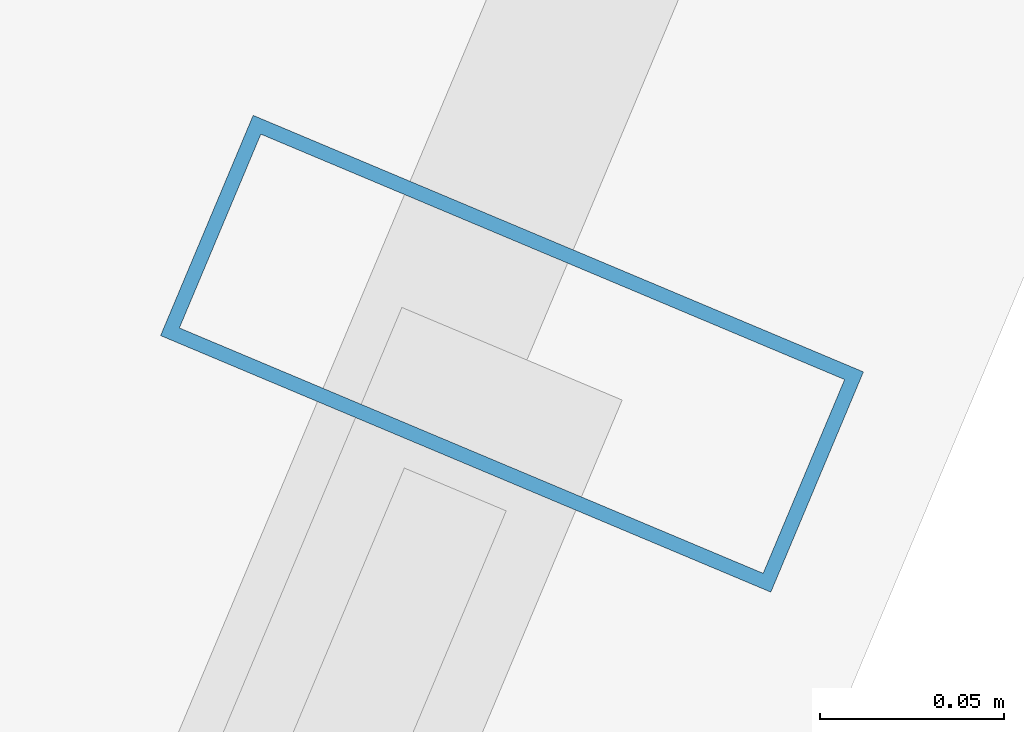
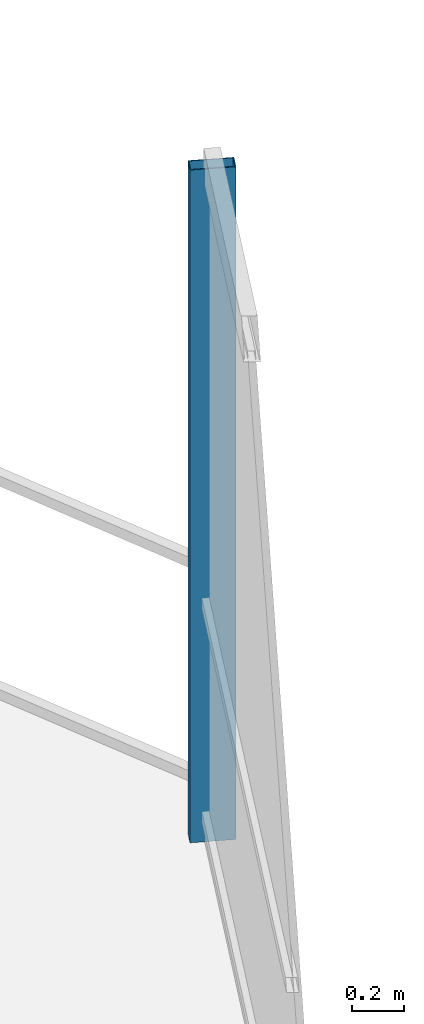
# One storey, part 22 of 30: 1 member, 1 element without a shape of its own.
"""IFC4 building model written with IfcOpenShell, lengths in metres."""

from ifc_helpers import new_model, si_unit, direction, frame, origin, origin_2d, place, context, subcontext, project, spatial, hollow_rectangle, extrude, material, layer, layer_set, material_profile, profile_set, type_object, element, aggregate, save


model = new_model("IFC4")

# Units and contexts
model_context = context("Model", 3, precision=1e-05, world=origin(), true_north=direction((0.0, 1.0)))
body_context = subcontext(model_context, "Body", "Model", "MODEL_VIEW")
ifc_project = project(units=[si_unit("LENGTHUNIT", "METRE"), si_unit("AREAUNIT", "SQUARE_METRE"), si_unit("VOLUMEUNIT", "CUBIC_METRE"), si_unit("PLANEANGLEUNIT", "RADIAN"), si_unit("MASSUNIT", "GRAM", prefix="KILO")], contexts=[model_context])

# Site, building, storey
site_placement = place(None, origin())
site = spatial("IfcSite", under=ifc_project, at=site_placement, CompositionType="ELEMENT")
building_placement = place(site_placement, origin())
building = spatial("IfcBuilding", under=site, at=building_placement, Name="Qarnah Convention Tower", CompositionType="ELEMENT")
storey_placement = place(building_placement, frame((0.0, 0.0, 93.60009765625)))
storey = spatial("IfcBuildingStorey", under=building, at=storey_placement, Name="L24", CompositionType="ELEMENT", Elevation=93.60009765625)

# Curtain wall, member
ifc_material_1 = material(Name="Tempered Low-E dark glass", Category="glass")
ifc_layer = layer(ifc_material_1, 0.169921875)
ifc_layer_set = layer_set([ifc_layer], Name="Tempered Low-E dark glass")
curtain_wall_type = type_object("IfcCurtainWallType", Name="CWS-02", PredefinedType="NOTDEFINED", material=ifc_layer_set)
curtain_wall_placement = place(storey_placement, origin())
curtain_wall = element("IfcCurtainWall", 1, at=curtain_wall_placement, inside=storey, type_object=curtain_wall_type, Name="L24 unitised curtain wall CW-L24-F3", PredefinedType="NOTDEFINED")
ifc_material_2 = material(Name="Black anodised aluminium", Category="aluminium")
ifc_material_profile = material_profile(ifc_material_2, hollow_rectangle(XDim=0.06494140625, YDim=0.179931640625, WallThickness=0.00390625, at=origin_2d()), Name="MUL-65X180")
ifc_profile_set = profile_set([ifc_material_profile], Name="Black anodised aluminium")
member_type = type_object("IfcMemberType", Name="MUL-T2", PredefinedType="MULLION", material=ifc_profile_set)
member_placement = place(storey_placement, frame((61.033935546875, 34.47607421875, 0.0), z_axis=(0.0, 0.0, 1.0), x_axis=(-0.387506592377, -0.921866932298, 0.0)))
member = element("IfcMember", 2, at=member_placement, type_object=member_type, Name="CW-L24-F3 mullion 1", PredefinedType="MULLION", context=body_context, shape_type="SweptSolid", body=[
    extrude(hollow_rectangle(XDim=0.06494140625, YDim=0.179931640625, WallThickness=0.00390625, at=origin_2d()), origin(), (0.0, 0.0, 1.0), 3.169921875),
])
aggregate(curtain_wall, [member])

save(model, "model.ifc")
